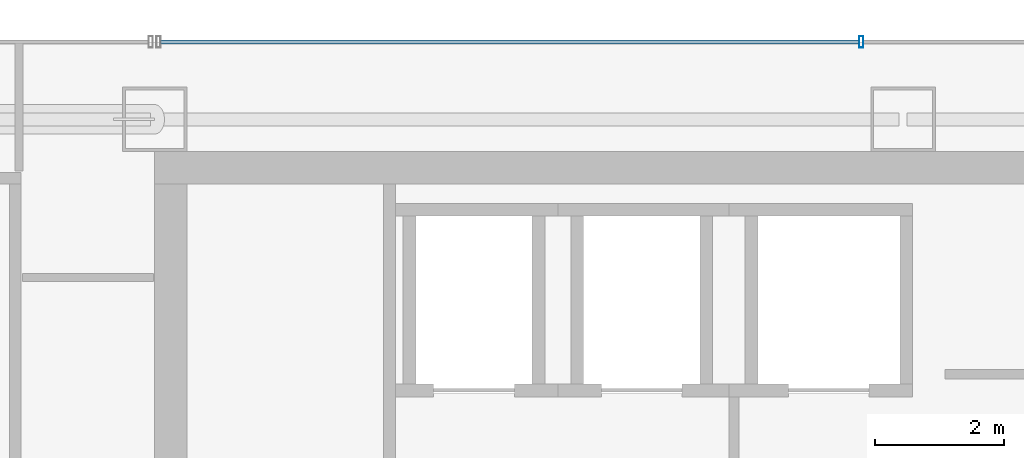
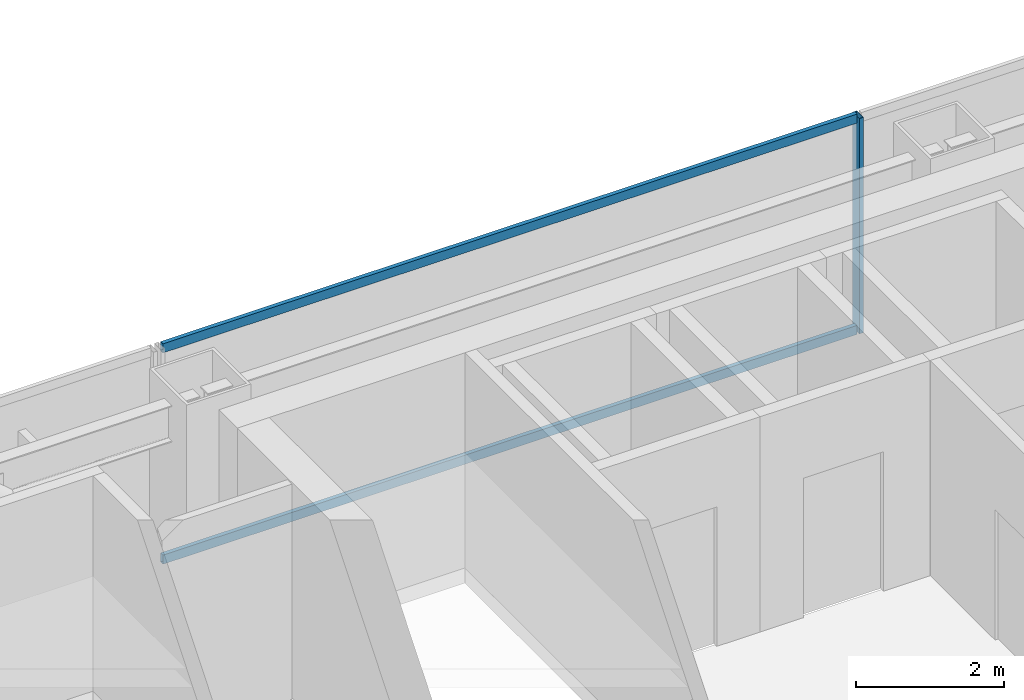
# One storey, part 24 of 38: 3 members, 1 element without a shape of its own.
"""IFC4 building model written with IfcOpenShell, lengths in metres."""

from ifc_helpers import new_model, si_unit, direction, frame, origin, origin_2d, place, context, subcontext, project, spatial, hollow_rectangle, extrude, material, material_profile, profile_set, type_object, element, aggregate, save


model = new_model("IFC4")

# Units and contexts
model_context = context("Model", 3, precision=1e-05, world=origin(), true_north=direction((0.0, 1.0)))
body_context = subcontext(model_context, "Body", "Model", "MODEL_VIEW")
ifc_project = project(units=[si_unit("LENGTHUNIT", "METRE"), si_unit("AREAUNIT", "SQUARE_METRE"), si_unit("VOLUMEUNIT", "CUBIC_METRE"), si_unit("PLANEANGLEUNIT", "RADIAN"), si_unit("MASSUNIT", "GRAM", prefix="KILO")], contexts=[model_context])

# Site, building, storey
site_placement = place(None, origin())
site = spatial("IfcSite", under=ifc_project, at=site_placement, CompositionType="ELEMENT")
building_placement = place(site_placement, origin())
building = spatial("IfcBuilding", under=site, at=building_placement, Name="Saevonmaru Cultural Tower", CompositionType="ELEMENT")
storey_placement = place(building_placement, frame((0.0, 0.0, 137.199951171875)))
storey = spatial("IfcBuildingStorey", under=building, at=storey_placement, Name="L29", CompositionType="ELEMENT", Elevation=137.199951171875)

# Curtain wall, members
ifc_material = material(Name="Satin Bronze Anodised Aluminium", Category="aluminium")
curtain_wall_type = type_object("IfcCurtainWallType", Name="CW-TYP-A", PredefinedType="NOTDEFINED", material=ifc_material)
curtain_wall_placement = place(storey_placement, origin())
curtain_wall = element("IfcCurtainWall", 1, at=curtain_wall_placement, inside=storey, type_object=curtain_wall_type, Name="L29 North Spine Unitised Curtain Wall E10B", PredefinedType="NOTDEFINED")
ifc_material_profile_1 = material_profile(ifc_material, hollow_rectangle(XDim=0.06494140625, YDim=0.179931640625, WallThickness=0.00390625, at=origin_2d()), Name="ALU-MULL-180x65x4")
ifc_profile_set_1 = profile_set([ifc_material_profile_1], Name="Satin Bronze Anodised Aluminium")
member_type_1 = type_object("IfcMemberType", Name="ML-CW-180x65", PredefinedType="MULLION", material=ifc_profile_set_1)
member_1_placement = place(storey_placement, frame((24.55322265625, 56.0, 0.0), z_axis=(0.0, 0.0, 1.0), x_axis=(-1.0, 0.0, 0.0)))
member_1 = element("IfcMember", 2, at=member_1_placement, type_object=member_type_1, Name="CW-TW-L29-E10B mullion 3", PredefinedType="MULLION", context=body_context, shape_type="SweptSolid", body=[
    extrude(hollow_rectangle(XDim=0.06494140625, YDim=0.179931640625, WallThickness=0.00390625, at=origin_2d()), origin(), (0.0, 0.0, 1.0), 3.550048828125),
])
ifc_material_profile_2 = material_profile(ifc_material, hollow_rectangle(XDim=0.06494140625, YDim=0.14990234375, WallThickness=0.00390625, at=origin_2d()), Name="ALU-TRAN-150x65x4")
ifc_profile_set_2 = profile_set([ifc_material_profile_2], Name="Satin Bronze Anodised Aluminium")
member_type_2 = type_object("IfcMemberType", Name="TR-CW-150x65", PredefinedType="USERDEFINED", material=ifc_profile_set_2)
member_2_placement = place(storey_placement, frame((24.520751953125, 56.0, 0.032470703125), z_axis=(-1.0, 0.0, 0.0), x_axis=(0.0, -1.0, 0.0)))
member_2 = element("IfcMember", 3, at=member_2_placement, type_object=member_type_2, Name="CW-TW-L29-E10B transom 3.1", ObjectType="TRANSOM", PredefinedType="USERDEFINED", context=body_context, shape_type="SweptSolid", body=[
    extrude(hollow_rectangle(XDim=0.06494140625, YDim=0.14990234375, WallThickness=0.00390625, at=origin_2d()), origin(), (0.0, 0.0, 1.0), 10.828369140625),
])
member_3_placement = place(storey_placement, frame((24.520751953125, 56.0, 3.517578125), z_axis=(-1.0, 0.0, 0.0), x_axis=(0.0, -1.0, 0.0)))
member_3 = element("IfcMember", 4, at=member_3_placement, type_object=member_type_2, Name="CW-TW-L29-E10B transom 3.2", ObjectType="TRANSOM", PredefinedType="USERDEFINED", context=body_context, shape_type="SweptSolid", body=[
    extrude(hollow_rectangle(XDim=0.06494140625, YDim=0.14990234375, WallThickness=0.00390625, at=origin_2d()), origin(), (0.0, 0.0, 1.0), 10.828369140625),
])
aggregate(curtain_wall, [member_1, member_2, member_3])

save(model, "model.ifc")
